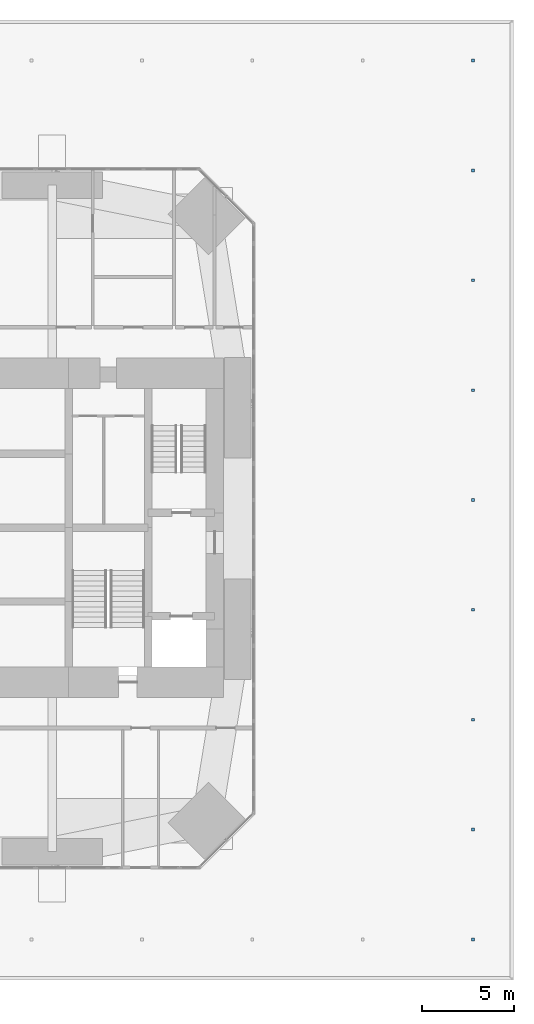
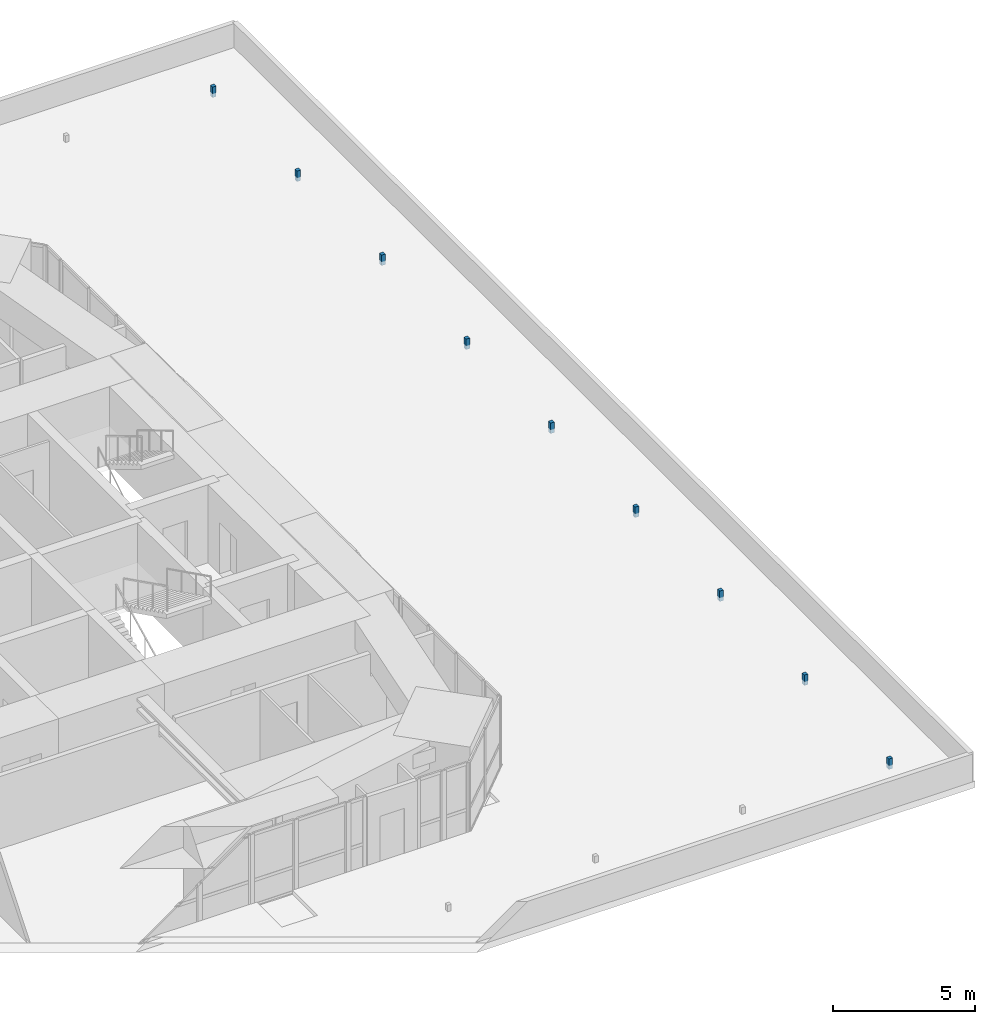
# One storey, part 19 of 20: 9 discrete accessories.
"""IFC4 building model written with IfcOpenShell, lengths in metres."""

import ifcopenshell
import ifcopenshell.guid

model = None  # the IFC model being written
_history = None  # IfcOwnerHistory: only IFC2X3 demands one
_inside = {}  # id of a spatial element -> (the spatial element, [elements in it])
_under = {}  # id of a project, library or spatial element -> (it, [spatial elements below it])
_declared = {}  # id of a project -> (the project, [libraries it declares])
_typed = {}  # id of a type object -> (the type object, [elements of that type])
_made_of = {}  # id of a material, layer set ... -> (it, [elements and type objects made of it])


def new_model(schema):
    """Start an empty IFC model of exactly this schema.

    Asked for "IFC4X3", IfcOpenShell would pick the latest addendum, in which some entities
    have other attributes; the version numbers below select the first issue.
    IFC2X3 requires an IfcOwnerHistory on every rooted entity: one is made here for all.
    """
    global model, _history
    if schema == "IFC4X3":
        model = ifcopenshell.file(schema_version=(4, 3, 0, 0))
    else:
        model = ifcopenshell.file(schema=schema)
    _inside.clear()
    _under.clear()
    _declared.clear()
    _typed.clear()
    _made_of.clear()
    _history = None
    if model.schema == "IFC2X3":
        org = make("IfcOrganization", Name="unknown")
        user = make(
            "IfcPersonAndOrganization",
            ThePerson=make("IfcPerson", FamilyName="unknown"),
            TheOrganization=org,
        )
        app = make(
            "IfcApplication",
            ApplicationDeveloper=org,
            Version="unknown",
            ApplicationFullName="unknown",
            ApplicationIdentifier="unknown",
        )
        _history = make(
            "IfcOwnerHistory",
            OwningUser=user,
            OwningApplication=app,
            ChangeAction="ADDED",
            CreationDate=0,
        )
    return model


def make(cls, **values):
    """One entity of the class cls with the attributes given. An attribute that is None is left unset."""
    return model.create_entity(
        cls, **{name: value for name, value in values.items() if value is not None}
    )


def rooted(cls, **values):
    """An entity with a GlobalId (a new one), such as an element, a storey or a relation."""
    return make(cls, GlobalId=ifcopenshell.guid.new(), OwnerHistory=_history, **values)


def si_unit(unit_type, name, prefix=None):
    """IfcSIUnit, for example si_unit("LENGTHUNIT", "METRE", prefix="MILLI")."""
    return make("IfcSIUnit", UnitType=unit_type, Prefix=prefix, Name=name)


def assignment(units):
    """IfcUnitAssignment: the units of a project."""
    return None if units is None else make("IfcUnitAssignment", Units=units)


def point(xyz):
    """IfcCartesianPoint."""
    return None if xyz is None else make("IfcCartesianPoint", Coordinates=xyz)


def direction(xyz):
    """IfcDirection."""
    return None if xyz is None else make("IfcDirection", DirectionRatios=xyz)


def frame(location, z_axis=None, x_axis=None):
    """IfcAxis2Placement3D, a coordinate frame: its origin and axes. An axis left out is left unset."""
    return make(
        "IfcAxis2Placement3D",
        Location=point(location),
        Axis=direction(z_axis),
        RefDirection=direction(x_axis),
    )


def frame_2d(location, x_axis=None):
    """IfcAxis2Placement2D, a coordinate frame in the plane: its origin and x axis."""
    return make(
        "IfcAxis2Placement2D", Location=point(location), RefDirection=direction(x_axis)
    )


def origin():
    """The frame at (0, 0, 0) with its axes left unset."""
    return frame((0.0, 0.0, 0.0))


def origin_2d():
    """The frame at (0, 0) in the plane with its x axis left unset."""
    return frame_2d((0.0, 0.0))


def place(relative_to, where):
    """IfcLocalPlacement: puts the frame where relative to a parent placement (None: the world)."""
    return make(
        "IfcLocalPlacement", PlacementRelTo=relative_to, RelativePlacement=where
    )


def context(
    kind, dimensions, precision=None, world=None, true_north=None, identifier=None
):
    """IfcGeometricRepresentationContext, for example the 3D "Model" context."""
    return make(
        "IfcGeometricRepresentationContext",
        ContextIdentifier=identifier,
        ContextType=kind,
        CoordinateSpaceDimension=dimensions,
        Precision=precision,
        WorldCoordinateSystem=world,
        TrueNorth=true_north,
    )


def subcontext(parent, identifier, kind, view, scale=None):
    """IfcGeometricRepresentationSubContext, for example "Body" below "Model"."""
    return make(
        "IfcGeometricRepresentationSubContext",
        ContextIdentifier=identifier,
        ContextType=kind,
        ParentContext=parent,
        TargetScale=scale,
        TargetView=view,
    )


def project(units=None, contexts=None):
    """IfcProject with its units and contexts."""
    return rooted(
        "IfcProject",
        Name="project",
        RepresentationContexts=contexts,
        UnitsInContext=assignment(units),
    )


def spatial(cls, under=None, at=None, **own):
    """A site, building, storey or space (cls), placed at a placement, below another one or the project."""
    s = rooted(cls, ObjectPlacement=at, **own)
    if under is not None:
        _under.setdefault(under.id(), (under, []))[1].append(s)
    return s


def profile(cls, at=None, kind="AREA", **sizes):
    """A parametric profile (cls). Its sizes go by their IFC names, for example OverallWidth=200.0."""
    return make(cls, ProfileType=kind, Position=at, **sizes)


def rectangle(**sizes):
    """IfcRectangleProfileDef."""
    return profile("IfcRectangleProfileDef", **sizes)


def extrude(swept, where, along, depth):
    """IfcExtrudedAreaSolid: the profile swept, set in the frame where, extruded along a direction by depth."""
    return make(
        "IfcExtrudedAreaSolid",
        SweptArea=swept,
        Position=where,
        ExtrudedDirection=direction(along),
        Depth=depth,
    )


def shape(context_of_items, identifier, shape_type, items):
    """IfcShapeRepresentation: the items that make up one representation, for example the "Body"."""
    return make(
        "IfcShapeRepresentation",
        ContextOfItems=context_of_items,
        RepresentationIdentifier=identifier,
        RepresentationType=shape_type,
        Items=items,
    )


def material(Name=None, Category=None):
    """IfcMaterial."""
    return make("IfcMaterial", Name=Name, Category=Category)


def made_of(thing, what):
    """Note that an element or type object is made of a material, layer set ...; save() writes the relation."""
    if what is not None:
        _made_of.setdefault(what.id(), (what, []))[1].append(thing)
    return thing


def type_object(cls, material=None, **own):
    """A type object (cls), such as IfcWallType, which elements share."""
    return made_of(rooted(cls, **own), material)


def element(
    cls,
    number,
    at=None,
    inside=None,
    cuts=None,
    type_object=None,
    material=None,
    context=None,
    identifier="Body",
    shape_type=None,
    held_by="IfcProductDefinitionShape",
    body=None,
    shapes=None,
    **own,
):
    """One element of the class cls, such as IfcWall. Its Tag is "e" and its number.

    at: its placement. inside: the storey or other place that contains it. cuts: it is an
    opening in that element (IfcRelVoidsElement). A single representation is given by context,
    identifier, shape_type and body (its items); several are given by shapes. held_by: the class
    of the entity that holds the representations. save() writes the other relations.
    """
    e = rooted(cls, Tag="e%d" % number, ObjectPlacement=at, **own)
    if body is not None:
        shapes = [shape(context, identifier, shape_type, body)]
    if shapes is not None:
        e.Representation = make(held_by, Representations=shapes)
    if inside is not None:
        _inside.setdefault(inside.id(), (inside, []))[1].append(e)
    if cuts is not None:
        rooted(
            "IfcRelVoidsElement", RelatingBuildingElement=cuts, RelatedOpeningElement=e
        )
    if type_object is not None:
        _typed.setdefault(type_object.id(), (type_object, []))[1].append(e)
    return made_of(e, material)


def aggregate(whole, parts):
    """IfcRelAggregates: a whole, such as a stair, and the parts it consists of."""
    return rooted("IfcRelAggregates", RelatingObject=whole, RelatedObjects=parts)


def save(model, path):
    """Write the relations noted so far, then the file.

    IfcRelAggregates (storeys below a building ...), IfcRelContainedInSpatialStructure (elements
    in a storey), IfcRelDefinesByType, IfcRelAssociatesMaterial and IfcRelDeclares: one each for
    every whole, place, type object, material and project.
    """
    for whole, parts in _under.values():
        aggregate(whole, parts)
    for where, things in _inside.values():
        rooted(
            "IfcRelContainedInSpatialStructure",
            RelatedElements=things,
            RelatingStructure=where,
        )
    for kind, things in _typed.values():
        rooted("IfcRelDefinesByType", RelatedObjects=things, RelatingType=kind)
    for what, things in _made_of.values():
        rooted("IfcRelAssociatesMaterial", RelatedObjects=things, RelatingMaterial=what)
    for by, libraries in _declared.values():
        rooted("IfcRelDeclares", RelatingContext=by, RelatedDefinitions=libraries)
    model.write(path)


model = new_model("IFC4")

# Units and contexts
model_context = context("Model", 3, precision=1e-05, world=origin(), true_north=direction((0.0, 1.0)))
body_context = subcontext(model_context, "Body", "Model", "MODEL_VIEW")
ifc_project = project(units=[si_unit("LENGTHUNIT", "METRE"), si_unit("AREAUNIT", "SQUARE_METRE"), si_unit("VOLUMEUNIT", "CUBIC_METRE"), si_unit("PLANEANGLEUNIT", "RADIAN"), si_unit("MASSUNIT", "GRAM", prefix="KILO")], contexts=[model_context])

# Site, building, storey
site_placement = place(None, origin())
site = spatial("IfcSite", under=ifc_project, at=site_placement, CompositionType="ELEMENT")
building_placement = place(site_placement, origin())
building = spatial("IfcBuilding", under=site, at=building_placement, Name="Jalousie Tower", CompositionType="ELEMENT")
storey_placement = place(building_placement, frame((0.0, 0.0, 21.0)))
storey = spatial("IfcBuildingStorey", under=building, at=storey_placement, Name="L04", CompositionType="ELEMENT", Elevation=21.0)

# Discrete accessories
ifc_material = material(Name="Stainless steel AISI 316", Category="steel")
discrete_accessory_type = type_object("IfcDiscreteAccessoryType", Name="FALL ARREST ANCHOR POST", PredefinedType="USERDEFINED", material=ifc_material)
for number, where, z_axis, x_axis, name in (
    (1, (57.800048828125, -3.800048828125, 0.0), (0.0, 0.0, 1.0), (1.0, 0.0, 0.0), "Fall arrest anchor 10, maintenance only"),
    (2, (57.800048828125, 2.14990234375, 0.0), (0.0, 0.0, 1.0), (1.0, 0.0, 0.0), "Fall arrest anchor 11, maintenance only"),
    (3, (57.800048828125, 8.10009765625, 0.0), (0.0, 0.0, 1.0), (1.0, 0.0, 0.0), "Fall arrest anchor 12, maintenance only"),
    (4, (57.800048828125, 14.050048828125, 0.0), (0.0, 0.0, 1.0), (1.0, 0.0, 0.0), "Fall arrest anchor 13, maintenance only"),
    (5, (57.800048828125, 20.0, 0.0), (0.0, 0.0, 1.0), (1.0, 0.0, 0.0), "Fall arrest anchor 14, maintenance only"),
    (6, (57.800048828125, 25.949951171875, 0.0), (0.0, 0.0, 1.0), (1.0, 0.0, 0.0), "Fall arrest anchor 15, maintenance only"),
    (7, (57.800048828125, 31.89990234375, 0.0), (0.0, 0.0, 1.0), (1.0, 0.0, 0.0), "Fall arrest anchor 16, maintenance only"),
    (8, (57.800048828125, 37.85009765625, 0.0), (0.0, 0.0, 1.0), (1.0, 0.0, 0.0), "Fall arrest anchor 17, maintenance only"),
    (9, (57.800048828125, 43.800048828125, 0.0), (0.0, 0.0, 1.0), (1.0, 0.0, 0.0), "Fall arrest anchor 18, maintenance only"),
):
    element("IfcDiscreteAccessory", number, at=place(storey_placement, frame(where, z_axis=z_axis, x_axis=x_axis)), inside=storey, type_object=discrete_accessory_type, Name=name, ObjectType="FALL ARREST ANCHOR", PredefinedType="USERDEFINED", context=body_context, shape_type="SweptSolid", body=[
        extrude(rectangle(XDim=0.14990234375, YDim=0.14990234375, at=origin_2d()), origin(), (0.0, 0.0, 1.0), 0.449951171875),
    ])

save(model, "model.ifc")
